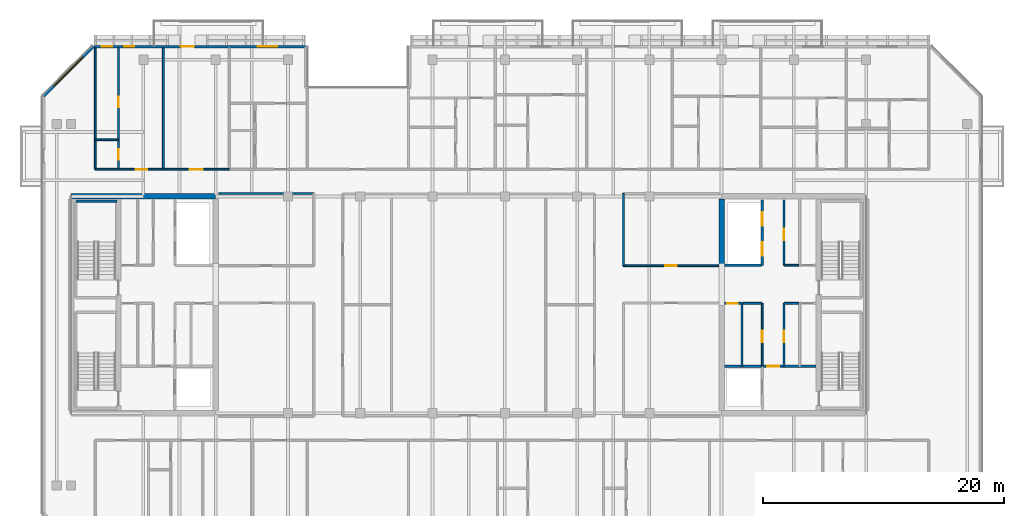
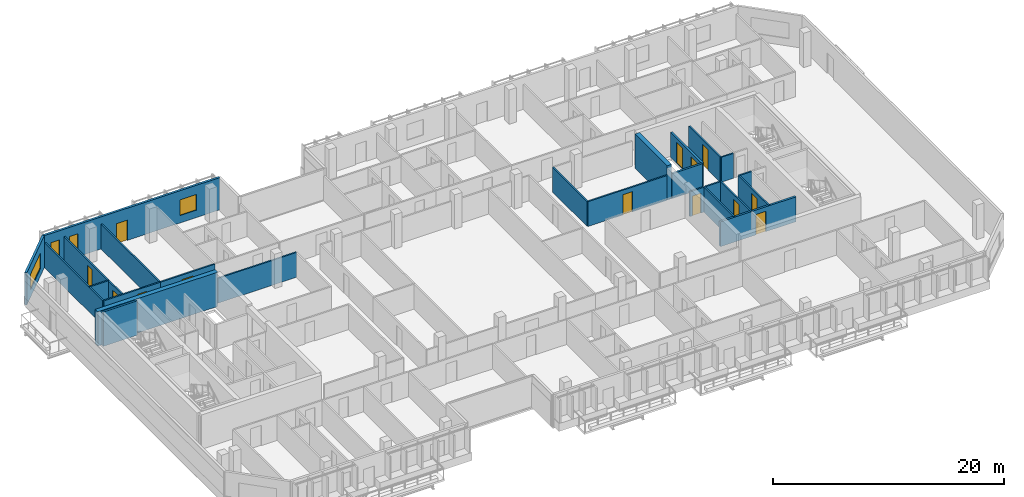
# One storey, part 13 of 23: 25 walls, 13 doors, 4 windows, 17 openings.
"""IFC4 building model written with IfcOpenShell, lengths in metres."""

from ifc_helpers import new_model, si_unit, direction, frame, frame_2d, origin, place, context, subcontext, project, spatial, rectangle, extrude, material, layer, layer_set, type_object, element, fill, save


model = new_model("IFC4")

# Units and contexts
model_context = context("Model", 3, precision=1e-05, world=origin(), true_north=direction((0.0, 1.0)))
body_context = subcontext(model_context, "Body", "Model", "MODEL_VIEW")
ifc_project = project(units=[si_unit("LENGTHUNIT", "METRE"), si_unit("AREAUNIT", "SQUARE_METRE"), si_unit("VOLUMEUNIT", "CUBIC_METRE"), si_unit("PLANEANGLEUNIT", "RADIAN"), si_unit("MASSUNIT", "GRAM", prefix="KILO")], contexts=[model_context])

# Site, building, storey
site_placement = place(None, origin())
site = spatial("IfcSite", under=ifc_project, at=site_placement, CompositionType="ELEMENT")
building_placement = place(site_placement, origin())
building = spatial("IfcBuilding", under=site, at=building_placement, Name="Tanjung Sevakor Pilgrim Tower", CompositionType="ELEMENT")
storey_placement = place(building_placement, frame((0.0, 0.0, 215.489990234375)))
storey = spatial("IfcBuildingStorey", under=building, at=storey_placement, Name="L60", CompositionType="ELEMENT", Elevation=215.489990234375)

# Walls
ifc_material_1 = material(Name="Concrete C60/75", Category="concrete")
ifc_layer_1 = layer(ifc_material_1, 0.449951171875)
ifc_layer_set_1 = layer_set([ifc_layer_1], Name="WALL-CW-450")
wall_type_1 = type_object("IfcWallType", Name="WALL-CW-450", PredefinedType="SHEAR", material=ifc_layer_set_1)
wall_1_placement = place(storey_placement, frame((36.0, 42.60009765625, 0.0), z_axis=(0.0, 0.0, 1.0), x_axis=(-1.0, 0.0, 0.0)))
element("IfcWall", 1, at=wall_1_placement, inside=storey, type_object=wall_type_1, Name="L60 W Core North Shear Wall", PredefinedType="SHEAR", context=body_context, shape_type="SweptSolid", body=[
    extrude(rectangle(XDim=12.0, YDim=0.449951171875, at=frame_2d((6.0, 0.0))), origin(), (0.0, 0.0, 1.0), 3.630126953125),
])
wall_2_placement = place(storey_placement, frame((78.0, 36.800048828125, 0.0), z_axis=(0.0, 0.0, 1.0), x_axis=(0.0, 1.0, 0.0)))
element("IfcWall", 2, at=wall_2_placement, inside=storey, type_object=wall_type_1, Name="L60 E Core Inner Shear Wall North", PredefinedType="SHEAR", context=body_context, shape_type="SweptSolid", body=[
    extrude(rectangle(XDim=5.574951171875, YDim=0.449951171875, at=frame_2d((2.78759765625, 0.0))), origin(), (0.0, 0.0, 1.0), 3.630126953125),
])
ifc_material_2 = material(Name="Concrete C40/50", Category="concrete")
ifc_layer_2 = layer(ifc_material_2, 0.14990234375)
ifc_layer_set_2 = layer_set([ifc_layer_2], Name="WT-COMP-150")
wall_type_2 = type_object("IfcWallType", Name="WT-COMP-150", PredefinedType="SOLIDWALL", material=ifc_layer_set_2)
wall_3_placement = place(storey_placement, frame((83.199951171875, 33.719970703125, 0.0), z_axis=(0.0, 0.0, 1.0), x_axis=(1.0, 0.0, 0.0)))
element("IfcWall", 3, at=wall_3_placement, inside=storey, type_object=wall_type_2, Name="L60 Partition IW-L60-021", PredefinedType="SOLIDWALL", context=body_context, shape_type="SweptSolid", body=[
    extrude(rectangle(XDim=1.219970703125, YDim=0.14990234375, at=frame_2d((0.60986328125, 0.0))), origin(), (0.0, 0.0, 1.0), 2.6298828125),
])

# Wall, opening, door
wall_4_placement = place(storey_placement, frame((83.179931640625, 28.5, 0.0), z_axis=(0.0, 0.0, 1.0), x_axis=(0.0, 1.0, 0.0)))
wall_4 = element("IfcWall", 4, at=wall_4_placement, inside=storey, type_object=wall_type_2, Name="L60 Partition IW-L60-022", PredefinedType="SOLIDWALL", context=body_context, shape_type="SweptSolid", body=[
    extrude(rectangle(XDim=5.219970703125, YDim=0.14990234375, at=frame_2d((2.60986328125, 0.0))), origin(), (0.0, 0.0, 1.0), 2.6298828125),
])
opening_1_placement = place(wall_4_placement, frame((2.0, 0.0, 0.0)))
opening_1 = element("IfcOpeningElement", 5, at=opening_1_placement, cuts=wall_4, Name="Opening ID-FD2", PredefinedType="OPENING", context=body_context, shape_type="SweptSolid", body=[
    extrude(rectangle(XDim=0.949951171875, YDim=2.14990234375, at=frame_2d((0.47509765625, 1.074951171875))), frame((0.0, 0.0849609375, 0.0), z_axis=(0.0, -1.0, 0.0), x_axis=(1.0, 0.0, 0.0)), (0.0, 0.0, 1.0), 0.169921875),
])
ifc_material_3 = material(Name="Fire-Rated Timber", Category="wood")
door_type_1 = type_object("IfcDoorType", Name="DT-FIRE-950", OperationType="NOTDEFINED", PredefinedType="DOOR", material=ifc_material_3)
door_1_placement = place(opening_1_placement, origin())
door_1 = element("IfcDoor", 6, at=door_1_placement, inside=storey, type_object=door_type_1, Name="L60 Housekeeping Pantry Door", OperationType="SINGLE_SWING_LEFT", OverallHeight=2.14990234375, OverallWidth=0.949951171875, PredefinedType="DOOR", context=body_context, shape_type="SweptSolid", body=[
    extrude(rectangle(XDim=0.949951171875, YDim=2.14990234375, at=frame_2d((0.47509765625, 1.074951171875))), frame((0.0, 0.02490234375, 0.0), z_axis=(0.0, -1.0, 0.0), x_axis=(1.0, 0.0, 0.0)), (0.0, 0.0, 1.0), 0.050048828125),
])
fill(opening_1, door_1)

# Walls
wall_5_placement = place(storey_placement, frame((79.699951171875, 28.5, 0.0), z_axis=(0.0, 0.0, 1.0), x_axis=(0.0, 1.0, 0.0)))
element("IfcWall", 7, at=wall_5_placement, inside=storey, type_object=wall_type_2, Name="L60 Partition IW-L60-023", PredefinedType="SOLIDWALL", context=body_context, shape_type="SweptSolid", body=[
    extrude(rectangle(XDim=5.219970703125, YDim=0.14990234375, at=frame_2d((2.60986328125, 0.0))), origin(), (0.0, 0.0, 1.0), 2.6298828125),
])
wall_6_placement = place(storey_placement, frame((79.760009765625, 33.719970703125, 0.0), z_axis=(0.0, 0.0, 1.0), x_axis=(1.0, 0.0, 0.0)))
element("IfcWall", 8, at=wall_6_placement, inside=storey, type_object=wall_type_2, Name="L60 Partition IW-L60-024", PredefinedType="SOLIDWALL", context=body_context, shape_type="SweptSolid", body=[
    extrude(rectangle(XDim=1.56005859375, YDim=0.14990234375, at=frame_2d((0.780029296875, 0.0))), origin(), (0.0, 0.0, 1.0), 2.6298828125),
])

# Wall, opening, door
wall_7_placement = place(storey_placement, frame((78.2451171875, 33.719970703125, 0.0), z_axis=(0.0, 0.0, 1.0), x_axis=(1.0, 0.0, 0.0)))
wall_7 = element("IfcWall", 9, at=wall_7_placement, inside=storey, type_object=wall_type_2, Name="L60 Partition IW-L60-025", PredefinedType="SOLIDWALL", context=body_context, shape_type="SweptSolid", body=[
    extrude(rectangle(XDim=1.394775390625, YDim=0.14990234375, at=frame_2d((0.697265625, 0.0))), origin(), (0.0, 0.0, 1.0), 2.6298828125),
])
opening_2_placement = place(wall_7_placement, frame((0.239990234375, 0.0, 0.0)))
opening_2 = element("IfcOpeningElement", 10, at=opening_2_placement, cuts=wall_7, Name="Opening ID-FD3", PredefinedType="OPENING", context=body_context, shape_type="SweptSolid", body=[
    extrude(rectangle(XDim=0.85009765625, YDim=2.10009765625, at=frame_2d((0.425048828125, 1.050048828125))), frame((0.0, 0.0849609375, 0.0), z_axis=(0.0, -1.0, 0.0), x_axis=(1.0, 0.0, 0.0)), (0.0, 0.0, 1.0), 0.169921875),
])
ifc_material_4 = material(Name="Fire-Rated Timber", Category="wood")
door_type_2 = type_object("IfcDoorType", Name="DT-FIRE-850", OperationType="NOTDEFINED", PredefinedType="DOOR", material=ifc_material_4)
door_2_placement = place(opening_2_placement, origin())
door_2 = element("IfcDoor", 11, at=door_2_placement, inside=storey, type_object=door_type_2, Name="L60 Service Store Door", OperationType="SINGLE_SWING_RIGHT", OverallHeight=2.10009765625, OverallWidth=0.85009765625, PredefinedType="DOOR", context=body_context, shape_type="SweptSolid", body=[
    extrude(rectangle(XDim=0.85009765625, YDim=2.10009765625, at=frame_2d((0.425048828125, 1.050048828125))), frame((0.0, 0.02490234375, 0.0), z_axis=(0.0, -1.0, 0.0), x_axis=(1.0, 0.0, 0.0)), (0.0, 0.0, 1.0), 0.050048828125),
])
fill(opening_2, door_2)

wall_8_placement = place(storey_placement, frame((81.3798828125, 28.5, 0.0), z_axis=(0.0, 0.0, 1.0), x_axis=(0.0, 1.0, 0.0)))
wall_8 = element("IfcWall", 12, at=wall_8_placement, inside=storey, type_object=wall_type_2, Name="L60 Partition IW-L60-026", PredefinedType="SOLIDWALL", context=body_context, shape_type="SweptSolid", body=[
    extrude(rectangle(XDim=5.219970703125, YDim=0.14990234375, at=frame_2d((2.60986328125, 0.0))), origin(), (0.0, 0.0, 1.0), 2.6298828125),
])
opening_3_placement = place(wall_8_placement, frame((2.0, 0.0, 0.0)))
opening_3 = element("IfcOpeningElement", 13, at=opening_3_placement, cuts=wall_8, Name="Opening ID-FD2", PredefinedType="OPENING", context=body_context, shape_type="SweptSolid", body=[
    extrude(rectangle(XDim=0.949951171875, YDim=2.14990234375, at=frame_2d((0.47509765625, 1.074951171875))), frame((0.0, 0.0849609375, 0.0), z_axis=(0.0, -1.0, 0.0), x_axis=(1.0, 0.0, 0.0)), (0.0, 0.0, 1.0), 0.169921875),
])
door_3_placement = place(opening_3_placement, origin())
door_3 = element("IfcDoor", 14, at=door_3_placement, inside=storey, type_object=door_type_1, Name="L60 Accessible WC Door", OperationType="SINGLE_SWING_LEFT", OverallHeight=2.14990234375, OverallWidth=0.949951171875, PredefinedType="DOOR", context=body_context, shape_type="SweptSolid", body=[
    extrude(rectangle(XDim=0.949951171875, YDim=2.14990234375, at=frame_2d((0.47509765625, 1.074951171875))), frame((0.0, 0.02490234375, 0.0), z_axis=(0.0, -1.0, 0.0), x_axis=(1.0, 0.0, 0.0)), (0.0, 0.0, 1.0), 0.050048828125),
])
fill(opening_3, door_3)

# Wall
wall_9_placement = place(storey_placement, frame((83.199951171875, 36.8798828125, 0.0), z_axis=(0.0, 0.0, 1.0), x_axis=(1.0, 0.0, 0.0)))
element("IfcWall", 15, at=wall_9_placement, inside=storey, type_object=wall_type_2, Name="L60 Partition IW-L60-029", PredefinedType="SOLIDWALL", context=body_context, shape_type="SweptSolid", body=[
    extrude(rectangle(XDim=1.219970703125, YDim=0.14990234375, at=frame_2d((0.60986328125, 0.0))), origin(), (0.0, 0.0, 1.0), 2.6298828125),
])

# Wall, opening, door
wall_10_placement = place(storey_placement, frame((83.179931640625, 36.8798828125, 0.0), z_axis=(0.0, 0.0, 1.0), x_axis=(0.0, 1.0, 0.0)))
wall_10 = element("IfcWall", 16, at=wall_10_placement, inside=storey, type_object=wall_type_2, Name="L60 Partition IW-L60-030", PredefinedType="SOLIDWALL", context=body_context, shape_type="SweptSolid", body=[
    extrude(rectangle(XDim=5.420166015625, YDim=0.14990234375, at=frame_2d((2.7099609375, 0.0))), origin(), (0.0, 0.0, 1.0), 2.6298828125),
])
opening_4_placement = place(wall_10_placement, frame((2.10009765625, 0.0, 0.0)))
opening_4 = element("IfcOpeningElement", 17, at=opening_4_placement, cuts=wall_10, Name="Opening ID-FD2", PredefinedType="OPENING", context=body_context, shape_type="SweptSolid", body=[
    extrude(rectangle(XDim=0.949951171875, YDim=2.14990234375, at=frame_2d((0.47509765625, 1.074951171875))), frame((0.0, 0.0849609375, 0.0), z_axis=(0.0, -1.0, 0.0), x_axis=(1.0, 0.0, 0.0)), (0.0, 0.0, 1.0), 0.169921875),
])
door_4_placement = place(opening_4_placement, origin())
door_4 = element("IfcDoor", 18, at=door_4_placement, inside=storey, type_object=door_type_1, Name="L60 Core Reading Room Door", OperationType="SINGLE_SWING_LEFT", OverallHeight=2.14990234375, OverallWidth=0.949951171875, PredefinedType="DOOR", context=body_context, shape_type="SweptSolid", body=[
    extrude(rectangle(XDim=0.949951171875, YDim=2.14990234375, at=frame_2d((0.47509765625, 1.074951171875))), frame((0.0, 0.02490234375, 0.0), z_axis=(0.0, -1.0, 0.0), x_axis=(1.0, 0.0, 0.0)), (0.0, 0.0, 1.0), 0.050048828125),
])
fill(opening_4, door_4)

# Wall
wall_11_placement = place(storey_placement, frame((36.2451171875, 42.85009765625, 0.0), z_axis=(0.0, 0.0, 1.0), x_axis=(1.0, 0.0, 0.0)))
element("IfcWall", 19, at=wall_11_placement, inside=storey, type_object=wall_type_2, Name="L60 Partition IW-L60-037", PredefinedType="SOLIDWALL", context=body_context, shape_type="SweptSolid", body=[
    extrude(rectangle(XDim=7.90478515625, YDim=0.14990234375, at=frame_2d((3.952392578125, 0.0))), origin(), (0.0, 0.0, 1.0), 2.6298828125),
])

# Wall, opening, door
wall_12_placement = place(storey_placement, frame((69.85009765625, 36.85009765625, 0.0), z_axis=(0.0, 0.0, 1.0), x_axis=(1.0, 0.0, 0.0)))
wall_12 = element("IfcWall", 20, at=wall_12_placement, inside=storey, type_object=wall_type_2, Name="L60 Partition IW-L60-042", PredefinedType="SOLIDWALL", context=body_context, shape_type="SweptSolid", body=[
    extrude(rectangle(XDim=7.90478515625, YDim=0.14990234375, at=frame_2d((3.952392578125, 0.0))), origin(), (0.0, 0.0, 1.0), 2.6298828125),
])
opening_5_placement = place(wall_12_placement, frame((3.4775390625, 0.0, 0.0)))
opening_5 = element("IfcOpeningElement", 21, at=opening_5_placement, cuts=wall_12, Name="Opening ID-RM1", PredefinedType="OPENING", context=body_context, shape_type="SweptSolid", body=[
    extrude(rectangle(XDim=0.949951171875, YDim=2.14990234375, at=frame_2d((0.47509765625, 1.074951171875))), frame((0.0, 0.0849609375, 0.0), z_axis=(0.0, -1.0, 0.0), x_axis=(1.0, 0.0, 0.0)), (0.0, 0.0, 1.0), 0.169921875),
])
ifc_material_5 = material(Name="Hardwood Timber", Category="wood")
door_type_3 = type_object("IfcDoorType", Name="DT-INT-950", OperationType="NOTDEFINED", PredefinedType="DOOR", material=ifc_material_5)
door_5_placement = place(opening_5_placement, origin())
door_5 = element("IfcDoor", 22, at=door_5_placement, inside=storey, type_object=door_type_3, Name="L60 East Inboard North Door", OperationType="SINGLE_SWING_LEFT", OverallHeight=2.14990234375, OverallWidth=0.949951171875, PredefinedType="DOOR", context=body_context, shape_type="SweptSolid", body=[
    extrude(rectangle(XDim=0.949951171875, YDim=2.14990234375, at=frame_2d((0.47509765625, 1.074951171875))), frame((0.0, 0.02490234375, 0.0), z_axis=(0.0, -1.0, 0.0), x_axis=(1.0, 0.0, 0.0)), (0.0, 0.0, 1.0), 0.050048828125),
])
fill(opening_5, door_5)

# Walls
wall_13_placement = place(storey_placement, frame((69.85009765625, 36.85009765625, 0.0), z_axis=(0.0, 0.0, 1.0), x_axis=(0.0, 1.0, 0.0)))
element("IfcWall", 23, at=wall_13_placement, inside=storey, type_object=wall_type_2, Name="L60 Partition IW-L60-044", PredefinedType="SOLIDWALL", context=body_context, shape_type="SweptSolid", body=[
    extrude(rectangle(XDim=6.0, YDim=0.14990234375, at=frame_2d((3.0, 0.0))), origin(), (0.0, 0.0, 1.0), 2.6298828125),
])
for number, where, z_axis, x_axis, name in (
    (24, (26.0, 44.85009765625, 0.0), (0.0, 0.0, 1.0), (0.0, 1.0, 0.0), "L60 Partition IW-L60-094"),
    (25, (31.65380859375, 44.85009765625, 0.0), (0.0, 0.0, 1.0), (0.0, 1.0, 0.0), "L60 Partition IW-L60-095"),
):
    element("IfcWall", number, at=place(storey_placement, frame(where, z_axis=z_axis, x_axis=x_axis)), inside=storey, type_object=wall_type_2, Name=name, PredefinedType="SOLIDWALL", context=body_context, shape_type="SweptSolid", body=[
        extrude(rectangle(XDim=10.079833984375, YDim=0.14990234375, at=frame_2d((5.0400390625, 0.0))), origin(), (0.0, 0.0, 1.0), 2.6298828125),
    ])

# Wall, opening, door
wall_14_placement = place(storey_placement, frame((26.0, 44.85009765625, 0.0), z_axis=(0.0, 0.0, 1.0), x_axis=(1.0, 0.0, 0.0)))
wall_14 = element("IfcWall", 26, at=wall_14_placement, inside=storey, type_object=wall_type_2, Name="L60 Partition IW-L60-098", PredefinedType="SOLIDWALL", context=body_context, shape_type="SweptSolid", body=[
    extrude(rectangle(XDim=5.65380859375, YDim=0.14990234375, at=frame_2d((2.826904296875, 0.0))), origin(), (0.0, 0.0, 1.0), 2.6298828125),
])
opening_6_placement = place(wall_14_placement, frame((3.35302734375, 0.0, 0.0)))
opening_6 = element("IfcOpeningElement", 27, at=opening_6_placement, cuts=wall_14, Name="Opening ID-FD2", PredefinedType="OPENING", context=body_context, shape_type="SweptSolid", body=[
    extrude(rectangle(XDim=0.949951171875, YDim=2.14990234375, at=frame_2d((0.47509765625, 1.074951171875))), frame((0.0, 0.0849609375, 0.0), z_axis=(0.0, -1.0, 0.0), x_axis=(1.0, 0.0, 0.0)), (0.0, 0.0, 1.0), 0.169921875),
])
door_6_placement = place(opening_6_placement, origin())
door_6 = element("IfcDoor", 28, at=door_6_placement, inside=storey, type_object=door_type_1, Name="Hotel Guestroom Entrance", OperationType="SINGLE_SWING_LEFT", OverallHeight=2.14990234375, OverallWidth=0.949951171875, PredefinedType="DOOR", context=body_context, shape_type="SweptSolid", body=[
    extrude(rectangle(XDim=0.949951171875, YDim=2.14990234375, at=frame_2d((0.47509765625, 1.074951171875))), frame((0.0, 0.02490234375, 0.0), z_axis=(0.0, -1.0, 0.0), x_axis=(1.0, 0.0, 0.0)), (0.0, 0.0, 1.0), 0.050048828125),
])
fill(opening_6, door_6)

wall_15_placement = place(storey_placement, frame((31.65380859375, 44.85009765625, 0.0), z_axis=(0.0, 0.0, 1.0), x_axis=(1.0, 0.0, 0.0)))
wall_15 = element("IfcWall", 29, at=wall_15_placement, inside=storey, type_object=wall_type_2, Name="L60 Partition IW-L60-100", PredefinedType="SOLIDWALL", context=body_context, shape_type="SweptSolid", body=[
    extrude(rectangle(XDim=5.465576171875, YDim=0.14990234375, at=frame_2d((2.73291015625, 0.0))), origin(), (0.0, 0.0, 1.0), 2.6298828125),
])
opening_7_placement = place(wall_15_placement, frame((2.1826171875, 0.0, 0.0)))
opening_7 = element("IfcOpeningElement", 30, at=opening_7_placement, cuts=wall_15, Name="Opening ID-FD0", PredefinedType="OPENING", context=body_context, shape_type="SweptSolid", body=[
    extrude(rectangle(XDim=1.10009765625, YDim=2.14990234375, at=frame_2d((0.550048828125, 1.074951171875))), frame((0.0, 0.0849609375, 0.0), z_axis=(0.0, -1.0, 0.0), x_axis=(1.0, 0.0, 0.0)), (0.0, 0.0, 1.0), 0.169921875),
])
ifc_material_6 = material(Name="Fire-Rated Steel S355J2", Category="steel")
door_type_4 = type_object("IfcDoorType", Name="DT-FIRE-1100", OperationType="NOTDEFINED", PredefinedType="DOOR", material=ifc_material_6)
door_7_placement = place(opening_7_placement, origin())
door_7 = element("IfcDoor", 31, at=door_7_placement, inside=storey, type_object=door_type_4, Name="Seminar Room Door", OperationType="SINGLE_SWING_RIGHT", OverallHeight=2.14990234375, OverallWidth=1.10009765625, PredefinedType="DOOR", context=body_context, shape_type="SweptSolid", body=[
    extrude(rectangle(XDim=1.10009765625, YDim=2.14990234375, at=frame_2d((0.550048828125, 1.074951171875))), frame((0.0, 0.02490234375, 0.0), z_axis=(0.0, -1.0, 0.0), x_axis=(1.0, 0.0, 0.0)), (0.0, 0.0, 1.0), 0.050048828125),
])
fill(opening_7, door_7)

# Wall, openings, door, windows
ifc_material_7 = material(Name="Precast concrete C45/55", Category="concrete")
ifc_layer_3 = layer(ifc_material_7, 0.219970703125)
ifc_layer_set_3 = layer_set([ifc_layer_3], Name="WT-EW-STN4")
wall_type_3 = type_object("IfcWallType", Name="WT-EW-STN4", PredefinedType="SOLIDWALL", material=ifc_layer_set_3)
wall_16_placement = place(storey_placement, frame((43.489990234375, 55.0400390625, 0.0), z_axis=(0.0, 0.0, 1.0), x_axis=(-1.0, 0.0, 0.0)))
wall_16 = element("IfcWall", 32, at=wall_16_placement, inside=storey, type_object=wall_type_3, Name="L60 MAIN Exterior Wall 13", PredefinedType="SOLIDWALL", context=body_context, shape_type="SweptSolid", body=[
    extrude(rectangle(XDim=17.644287109375, YDim=0.219970703125, at=frame_2d((8.822265625, 0.0))), origin(), (0.0, 0.0, 1.0), 3.409912109375),
])
opening_8_placement = place(wall_16_placement, frame((9.2900390625, 0.0, 0.0)))
opening_8 = element("IfcOpeningElement", 33, at=opening_8_placement, cuts=wall_16, Name="Opening ED-BAL-1100", PredefinedType="OPENING", context=body_context, shape_type="SweptSolid", body=[
    extrude(rectangle(XDim=1.10009765625, YDim=2.14990234375, at=frame_2d((0.550048828125, 1.074951171875))), frame((0.0, 0.119873046875, 0.0), z_axis=(0.0, -1.0, 0.0), x_axis=(1.0, 0.0, 0.0)), (0.0, 0.0, 1.0), 0.239990234375),
])
opening_9_placement = place(wall_16_placement, frame((16.09375, 0.0, 0.780029296875)))
opening_9 = element("IfcOpeningElement", 34, at=opening_9_placement, cuts=wall_16, Name="Opening WN-SLM", PredefinedType="OPENING", context=body_context, shape_type="SweptSolid", body=[
    extrude(rectangle(XDim=0.85009765625, YDim=1.64990234375, at=frame_2d((0.425048828125, 0.824951171875))), frame((0.0, 0.119873046875, 0.0), z_axis=(0.0, -1.0, 0.0), x_axis=(1.0, 0.0, 0.0)), (0.0, 0.0, 1.0), 0.239990234375),
])
opening_10_placement = place(wall_16_placement, frame((14.246826171875, 0.0, 0.780029296875)))
opening_10 = element("IfcOpeningElement", 35, at=opening_10_placement, cuts=wall_16, Name="Opening WN-SLM", PredefinedType="OPENING", context=body_context, shape_type="SweptSolid", body=[
    extrude(rectangle(XDim=0.85009765625, YDim=1.64990234375, at=frame_2d((0.425048828125, 0.824951171875))), frame((0.0, 0.119873046875, 0.0), z_axis=(0.0, -1.0, 0.0), x_axis=(1.0, 0.0, 0.0)), (0.0, 0.0, 1.0), 0.239990234375),
])
opening_11_placement = place(wall_16_placement, frame((2.365478515625, 0.0, 0.780029296875)))
opening_11 = element("IfcOpeningElement", 36, at=opening_11_placement, cuts=wall_16, Name="Opening WN-Z4-1660", PredefinedType="OPENING", context=body_context, shape_type="SweptSolid", body=[
    extrude(rectangle(XDim=1.64990234375, YDim=1.659912109375, at=frame_2d((0.824951171875, 0.830078125))), frame((0.0, 0.119873046875, 0.0), z_axis=(0.0, -1.0, 0.0), x_axis=(1.0, 0.0, 0.0)), (0.0, 0.0, 1.0), 0.239990234375),
])
ifc_material_8 = material(Name="Anodised Aluminium and Laminated Glass", Category="aluminium")
door_type_5 = type_object("IfcDoorType", Name="DTYP-ED-BAL-1100", OperationType="NOTDEFINED", PredefinedType="DOOR", material=ifc_material_8)
door_8_placement = place(opening_8_placement, frame((1.10009765625, 0.0, 0.0), z_axis=(0.0, 0.0, 1.0), x_axis=(-1.0, 0.0, 0.0)))
door_8 = element("IfcDoor", 37, at=door_8_placement, inside=storey, type_object=door_type_5, Name="L60 Balcony Door MAIN-N1", OperationType="SINGLE_SWING_LEFT", OverallHeight=2.14990234375, OverallWidth=1.10009765625, PredefinedType="DOOR", context=body_context, shape_type="SweptSolid", body=[
    extrude(rectangle(XDim=1.10009765625, YDim=2.14990234375, at=frame_2d((0.550048828125, 1.074951171875))), frame((0.0, 0.02490234375, 0.0), z_axis=(0.0, -1.0, 0.0), x_axis=(1.0, 0.0, 0.0)), (0.0, 0.0, 1.0), 0.050048828125),
])
fill(opening_8, door_8)
ifc_material_9 = material(Name="Thermally Broken Aluminium and Low-E Glass", Category="aluminium")
window_type_1 = type_object("IfcWindowType", Name="WTYP-WN-SLM", PartitioningType="SINGLE_PANEL", PredefinedType="WINDOW", material=ifc_material_9)
window_1_placement = place(opening_9_placement, origin())
window_1 = element("IfcWindow", 38, at=window_1_placement, inside=storey, type_object=window_type_1, Name="L60 Facade Window 01", OverallHeight=1.64990234375, OverallWidth=0.85009765625, PartitioningType="SINGLE_PANEL", PredefinedType="WINDOW", context=body_context, shape_type="SweptSolid", body=[
    extrude(rectangle(XDim=0.85009765625, YDim=1.64990234375, at=frame_2d((0.425048828125, 0.824951171875))), frame((0.0, 0.030029296875, 0.0), z_axis=(0.0, -1.0, 0.0), x_axis=(1.0, 0.0, 0.0)), (0.0, 0.0, 1.0), 0.06005859375),
])
fill(opening_9, window_1)
window_2_placement = place(opening_10_placement, origin())
window_2 = element("IfcWindow", 39, at=window_2_placement, inside=storey, type_object=window_type_1, Name="L60 Facade Window 02", OverallHeight=1.64990234375, OverallWidth=0.85009765625, PartitioningType="SINGLE_PANEL", PredefinedType="WINDOW", context=body_context, shape_type="SweptSolid", body=[
    extrude(rectangle(XDim=0.85009765625, YDim=1.64990234375, at=frame_2d((0.425048828125, 0.824951171875))), frame((0.0, 0.030029296875, 0.0), z_axis=(0.0, -1.0, 0.0), x_axis=(1.0, 0.0, 0.0)), (0.0, 0.0, 1.0), 0.06005859375),
])
fill(opening_10, window_2)
ifc_material_10 = material(Name="Thermally Broken Aluminium and Low-E Glass", Category="aluminium")
window_type_2 = type_object("IfcWindowType", Name="WTYP-WN-Z4-1660", PartitioningType="DOUBLE_PANEL_VERTICAL", PredefinedType="WINDOW", material=ifc_material_10)
window_3_placement = place(opening_11_placement, origin())
window_3 = element("IfcWindow", 40, at=window_3_placement, inside=storey, type_object=window_type_2, Name="L60 Facade Window 03", OverallHeight=1.659912109375, OverallWidth=1.64990234375, PartitioningType="SINGLE_PANEL", PredefinedType="WINDOW", context=body_context, shape_type="SweptSolid", body=[
    extrude(rectangle(XDim=1.64990234375, YDim=1.659912109375, at=frame_2d((0.824951171875, 0.830078125))), frame((0.0, 0.030029296875, 0.0), z_axis=(0.0, -1.0, 0.0), x_axis=(1.0, 0.0, 0.0)), (0.0, 0.0, 1.0), 0.06005859375),
])
fill(opening_11, window_3)

# Wall, opening, window
wall_17_placement = place(storey_placement, frame((25.845703125, 55.0400390625, 0.0), z_axis=(0.0, 0.0, 1.0), x_axis=(-0.707106781187, -0.707106781187, 0.0)))
wall_17 = element("IfcWall", 41, at=wall_17_placement, inside=storey, type_object=wall_type_3, Name="L60 MAIN Sculpted Corner Wall 13", PredefinedType="SOLIDWALL", context=body_context, shape_type="SweptSolid", body=[
    extrude(rectangle(XDim=5.848876953125, YDim=0.219970703125, at=frame_2d((2.92431640625, 0.0))), origin(), (0.0, 0.0, 1.0), 3.409912109375),
])
opening_12_placement = place(wall_17_placement, frame((1.224365234375, 0.0, 0.780029296875)))
opening_12 = element("IfcOpeningElement", 42, at=opening_12_placement, cuts=wall_17, Name="Opening WN-CHM-1660", PredefinedType="OPENING", context=body_context, shape_type="SweptSolid", body=[
    extrude(rectangle(XDim=3.39990234375, YDim=1.659912109375, at=frame_2d((1.699951171875, 0.830078125))), frame((0.0, 0.119873046875, 0.0), z_axis=(0.0, -1.0, 0.0), x_axis=(1.0, 0.0, 0.0)), (0.0, 0.0, 1.0), 0.239990234375),
])
ifc_material_11 = material(Name="Thermally Broken Aluminium and Low-E Glass", Category="aluminium")
window_type_3 = type_object("IfcWindowType", Name="WTYP-WN-CHM-1660", PartitioningType="DOUBLE_PANEL_VERTICAL", PredefinedType="WINDOW", material=ifc_material_11)
window_4_placement = place(opening_12_placement, origin())
window_4 = element("IfcWindow", 43, at=window_4_placement, inside=storey, type_object=window_type_3, Name="L60 Facade Window 01", OverallHeight=1.659912109375, OverallWidth=3.39990234375, PartitioningType="SINGLE_PANEL", PredefinedType="WINDOW", context=body_context, shape_type="SweptSolid", body=[
    extrude(rectangle(XDim=3.39990234375, YDim=1.659912109375, at=frame_2d((1.699951171875, 0.830078125))), frame((0.0, 0.030029296875, 0.0), z_axis=(0.0, -1.0, 0.0), x_axis=(1.0, 0.0, 0.0)), (0.0, 0.0, 1.0), 0.06005859375),
])
fill(opening_12, window_4)

# Wall
ifc_material_12 = material(Name="Concrete C40/50", Category="concrete")
ifc_layer_4 = layer(ifc_material_12, 0.199951171875)
ifc_layer_set_4 = layer_set([ifc_layer_4], Name="WT-FIRE-200")
wall_type_4 = type_object("IfcWallType", Name="WT-FIRE-200", PredefinedType="SOLIDWALL", material=ifc_layer_set_4)
wall_18_placement = place(storey_placement, frame((27.800048828125, 42.199951171875, 0.0), z_axis=(0.0, 0.0, 1.0), x_axis=(-1.0, 0.0, 0.0)))
element("IfcWall", 44, at=wall_18_placement, inside=storey, type_object=wall_type_4, Name="L60 TS-W2 Shaft Wall 2", PredefinedType="SOLIDWALL", context=body_context, shape_type="SweptSolid", body=[
    extrude(rectangle(XDim=3.400146484375, YDim=0.199951171875, at=frame_2d((1.7001953125, 0.0))), origin(), (0.0, 0.0, 1.0), 3.630126953125),
])

# Wall, opening, door
ifc_material_13 = material(Name="Concrete C40/50", Category="concrete")
ifc_layer_5 = layer(ifc_material_13, 0.199951171875)
ifc_layer_set_5 = layer_set([ifc_layer_5], Name="WT-FPRT-200")
wall_type_5 = type_object("IfcWallType", Name="WT-FPRT-200", PredefinedType="SOLIDWALL", material=ifc_layer_set_5)
wall_19_placement = place(storey_placement, frame((78.2451171875, 28.5, 0.0), z_axis=(0.0, 0.0, 1.0), x_axis=(1.0, 0.0, 0.0)))
wall_19 = element("IfcWall", 45, at=wall_19_placement, inside=storey, type_object=wall_type_5, Name="L60 Partition IW-L60-018", PredefinedType="SOLIDWALL", context=body_context, shape_type="SweptSolid", body=[
    extrude(rectangle(XDim=7.5849609375, YDim=0.199951171875, at=frame_2d((3.79248046875, 0.0))), origin(), (0.0, 0.0, 1.0), 2.6298828125),
])
opening_13_placement = place(wall_19_placement, frame((3.554931640625, 0.0, 0.0)))
opening_13 = element("IfcOpeningElement", 46, at=opening_13_placement, cuts=wall_19, Name="Opening ID-FD1", PredefinedType="OPENING", context=body_context, shape_type="SweptSolid", body=[
    extrude(rectangle(XDim=1.0, YDim=2.14990234375, at=frame_2d((0.5, 1.074951171875))), frame((0.0, 0.10986328125, 0.0), z_axis=(0.0, -1.0, 0.0), x_axis=(1.0, 0.0, 0.0)), (0.0, 0.0, 1.0), 0.219970703125),
])
ifc_material_14 = material(Name="Fire-Rated Steel S355J2", Category="steel")
door_type_6 = type_object("IfcDoorType", Name="DT-FIRE-1000", OperationType="NOTDEFINED", PredefinedType="DOOR", material=ifc_material_14)
door_9_placement = place(opening_13_placement, origin())
door_9 = element("IfcDoor", 47, at=door_9_placement, inside=storey, type_object=door_type_6, Name="Fire Lobby Door E", OperationType="SINGLE_SWING_LEFT", OverallHeight=2.14990234375, OverallWidth=1.0, PredefinedType="DOOR", context=body_context, shape_type="SweptSolid", body=[
    extrude(rectangle(XDim=1.0, YDim=2.14990234375, at=frame_2d((0.5, 1.074951171875))), frame((0.0, 0.02490234375, 0.0), z_axis=(0.0, -1.0, 0.0), x_axis=(1.0, 0.0, 0.0)), (0.0, 0.0, 1.0), 0.050048828125),
])
fill(opening_13, door_9)

# Wall
wall_20_placement = place(storey_placement, frame((78.2451171875, 36.8798828125, 0.0), z_axis=(0.0, 0.0, 1.0), x_axis=(1.0, 0.0, 0.0)))
element("IfcWall", 48, at=wall_20_placement, inside=storey, type_object=wall_type_5, Name="L60 Partition IW-L60-031", PredefinedType="SOLIDWALL", context=body_context, shape_type="SweptSolid", body=[
    extrude(rectangle(XDim=3.074951171875, YDim=0.199951171875, at=frame_2d((1.53759765625, 0.0))), origin(), (0.0, 0.0, 1.0), 2.6298828125),
])

# Wall, openings, doors
wall_21_placement = place(storey_placement, frame((81.3798828125, 36.8798828125, 0.0), z_axis=(0.0, 0.0, 1.0), x_axis=(0.0, 1.0, 0.0)))
wall_21 = element("IfcWall", 49, at=wall_21_placement, inside=storey, type_object=wall_type_5, Name="L60 Partition IW-L60-032", PredefinedType="SOLIDWALL", context=body_context, shape_type="SweptSolid", body=[
    extrude(rectangle(XDim=5.420166015625, YDim=0.199951171875, at=frame_2d((2.7099609375, 0.0))), origin(), (0.0, 0.0, 1.0), 2.6298828125),
])
opening_14_placement = place(wall_21_placement, frame((0.800048828125, 0.0, 0.0)))
opening_14 = element("IfcOpeningElement", 50, at=opening_14_placement, cuts=wall_21, Name="Opening LD-1100", PredefinedType="OPENING", context=body_context, shape_type="SweptSolid", body=[
    extrude(rectangle(XDim=1.10009765625, YDim=2.199951171875, at=frame_2d((0.550048828125, 1.10009765625))), frame((0.0, 0.10986328125, 0.0), z_axis=(0.0, -1.0, 0.0), x_axis=(1.0, 0.0, 0.0)), (0.0, 0.0, 1.0), 0.219970703125),
])
opening_15_placement = place(wall_21_placement, frame((3.300048828125, 0.0, 0.0)))
opening_15 = element("IfcOpeningElement", 51, at=opening_15_placement, cuts=wall_21, Name="Opening LD-1100", PredefinedType="OPENING", context=body_context, shape_type="SweptSolid", body=[
    extrude(rectangle(XDim=1.10009765625, YDim=2.199951171875, at=frame_2d((0.550048828125, 1.10009765625))), frame((0.0, 0.10986328125, 0.0), z_axis=(0.0, -1.0, 0.0), x_axis=(1.0, 0.0, 0.0)), (0.0, 0.0, 1.0), 0.219970703125),
])
ifc_material_15 = material(Name="Brushed Stainless Steel S355J2", Category="steel")
door_type_7 = type_object("IfcDoorType", Name="DT-LIFT-1100", OperationType="SLIDING_TO_LEFT", PredefinedType="DOOR", material=ifc_material_15)
door_10_placement = place(opening_14_placement, origin())
door_10 = element("IfcDoor", 52, at=door_10_placement, inside=storey, type_object=door_type_7, Name="LD-PLH1-E", OperationType="SLIDING_TO_LEFT", OverallHeight=2.199951171875, OverallWidth=1.10009765625, PredefinedType="DOOR", context=body_context, shape_type="SweptSolid", body=[
    extrude(rectangle(XDim=1.10009765625, YDim=2.199951171875, at=frame_2d((0.550048828125, 1.10009765625))), frame((0.0, 0.02490234375, 0.0), z_axis=(0.0, -1.0, 0.0), x_axis=(1.0, 0.0, 0.0)), (0.0, 0.0, 1.0), 0.050048828125),
])
fill(opening_14, door_10)
door_11_placement = place(opening_15_placement, origin())
door_11 = element("IfcDoor", 53, at=door_11_placement, inside=storey, type_object=door_type_7, Name="LD-PLH2-E", OperationType="SLIDING_TO_RIGHT", OverallHeight=2.199951171875, OverallWidth=1.10009765625, PredefinedType="DOOR", context=body_context, shape_type="SweptSolid", body=[
    extrude(rectangle(XDim=1.10009765625, YDim=2.199951171875, at=frame_2d((0.550048828125, 1.10009765625))), frame((0.0, 0.02490234375, 0.0), z_axis=(0.0, -1.0, 0.0), x_axis=(1.0, 0.0, 0.0)), (0.0, 0.0, 1.0), 0.050048828125),
])
fill(opening_15, door_11)

# Wall
ifc_material_16 = material(Name="Gypsum Board Partition", Category="gypsum board")
ifc_layer_6 = layer(ifc_material_16, 0.14990234375)
ifc_layer_set_6 = layer_set([ifc_layer_6], Name="WT-PART-150")
wall_type_6 = type_object("IfcWallType", Name="WT-PART-150", PredefinedType="PARTITIONING", material=ifc_layer_set_6)
wall_22_placement = place(storey_placement, frame((26.0, 47.300048828125, 0.0), z_axis=(0.0, 0.0, 1.0), x_axis=(1.0, 0.0, 0.0)))
element("IfcWall", 54, at=wall_22_placement, inside=storey, type_object=wall_type_6, Name="L60 Partition IW-L60-096", PredefinedType="PARTITIONING", context=body_context, shape_type="SweptSolid", body=[
    extrude(rectangle(XDim=1.92236328125, YDim=0.14990234375, at=frame_2d((0.961181640625, 0.0))), origin(), (0.0, 0.0, 1.0), 2.6298828125),
])

# Wall, openings, doors
wall_23_placement = place(storey_placement, frame((27.92236328125, 44.85009765625, 0.0), z_axis=(0.0, 0.0, 1.0), x_axis=(0.0, 1.0, 0.0)))
wall_23 = element("IfcWall", 55, at=wall_23_placement, inside=storey, type_object=wall_type_6, Name="L60 Partition IW-L60-097", PredefinedType="PARTITIONING", context=body_context, shape_type="SweptSolid", body=[
    extrude(rectangle(XDim=10.079833984375, YDim=0.14990234375, at=frame_2d((5.0400390625, 0.0))), origin(), (0.0, 0.0, 1.0), 2.6298828125),
])
opening_16_placement = place(wall_23_placement, frame((0.800048828125, 0.0, 0.0)))
opening_16 = element("IfcOpeningElement", 56, at=opening_16_placement, cuts=wall_23, Name="Opening ID-WC1", PredefinedType="OPENING", context=body_context, shape_type="SweptSolid", body=[
    extrude(rectangle(XDim=0.85009765625, YDim=2.10009765625, at=frame_2d((0.425048828125, 1.050048828125))), frame((0.0, 0.0849609375, 0.0), z_axis=(0.0, -1.0, 0.0), x_axis=(1.0, 0.0, 0.0)), (0.0, 0.0, 1.0), 0.169921875),
])
opening_17_placement = place(wall_23_placement, frame((5.162109375, 0.0, 0.0)))
opening_17 = element("IfcOpeningElement", 57, at=opening_17_placement, cuts=wall_23, Name="Opening ID-WC1", PredefinedType="OPENING", context=body_context, shape_type="SweptSolid", body=[
    extrude(rectangle(XDim=0.85009765625, YDim=2.10009765625, at=frame_2d((0.425048828125, 1.050048828125))), frame((0.0, 0.0849609375, 0.0), z_axis=(0.0, -1.0, 0.0), x_axis=(1.0, 0.0, 0.0)), (0.0, 0.0, 1.0), 0.169921875),
])
ifc_material_17 = material(Name="Moisture-Resistant Timber", Category="wood")
door_type_8 = type_object("IfcDoorType", Name="DT-INT-850", OperationType="NOTDEFINED", PredefinedType="DOOR", material=ifc_material_17)
door_12_placement = place(opening_16_placement, origin())
door_12 = element("IfcDoor", 58, at=door_12_placement, inside=storey, type_object=door_type_8, Name="Bathroom Door", OperationType="SINGLE_SWING_LEFT", OverallHeight=2.10009765625, OverallWidth=0.85009765625, PredefinedType="DOOR", context=body_context, shape_type="SweptSolid", body=[
    extrude(rectangle(XDim=0.85009765625, YDim=2.10009765625, at=frame_2d((0.425048828125, 1.050048828125))), frame((0.0, 0.02490234375, 0.0), z_axis=(0.0, -1.0, 0.0), x_axis=(1.0, 0.0, 0.0)), (0.0, 0.0, 1.0), 0.050048828125),
])
fill(opening_16, door_12)
door_13_placement = place(opening_17_placement, origin())
door_13 = element("IfcDoor", 59, at=door_13_placement, inside=storey, type_object=door_type_8, Name="Study Nook Door", OperationType="SINGLE_SWING_RIGHT", OverallHeight=2.10009765625, OverallWidth=0.85009765625, PredefinedType="DOOR", context=body_context, shape_type="SweptSolid", body=[
    extrude(rectangle(XDim=0.85009765625, YDim=2.10009765625, at=frame_2d((0.425048828125, 1.050048828125))), frame((0.0, 0.02490234375, 0.0), z_axis=(0.0, -1.0, 0.0), x_axis=(1.0, 0.0, 0.0)), (0.0, 0.0, 1.0), 0.050048828125),
])
fill(opening_17, door_13)

save(model, "model.ifc")
